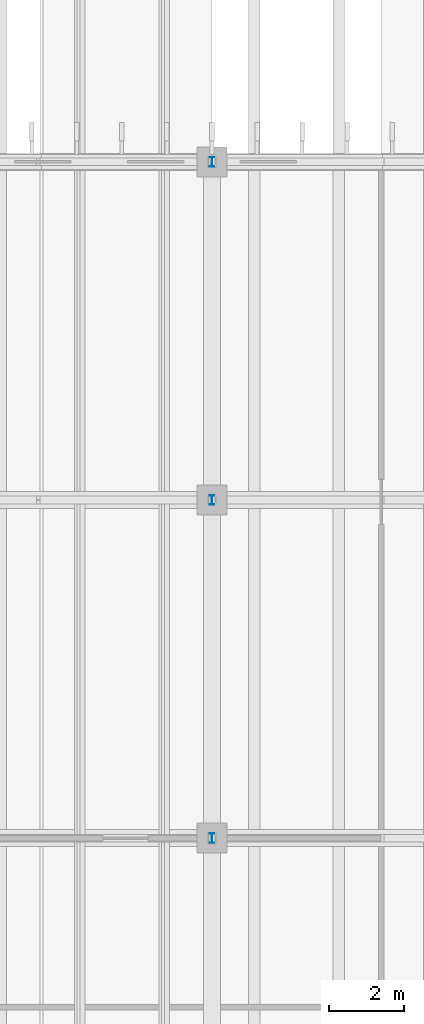
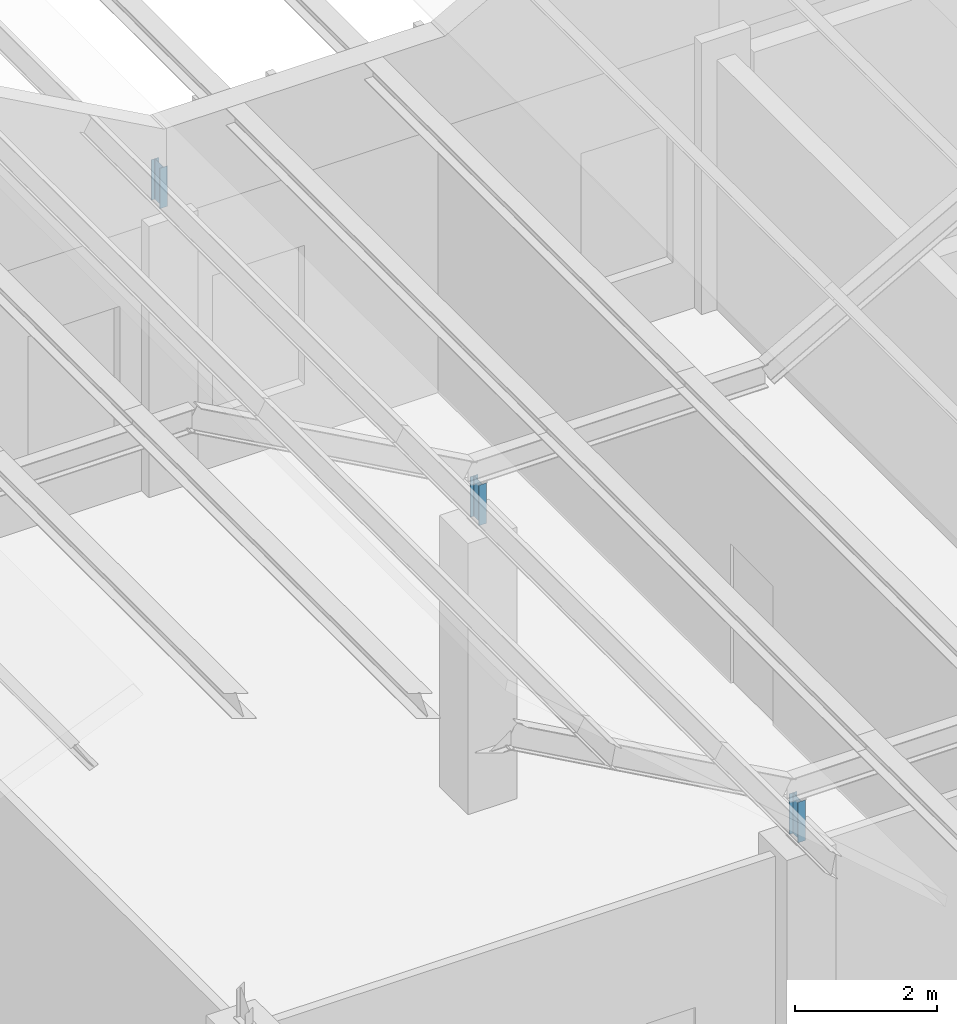
# One storey, part 234 of 437: 3 members.
"""IFC4 building model written with IfcOpenShell, lengths in metres."""

from ifc_helpers import new_model, si_unit, direction, frame, origin, origin_2d, place, context, subcontext, project, spatial, i_section, extrude, material, material_profile, profile_set, type_object, element, save


model = new_model("IFC4")

# Units and contexts
model_context = context("Model", 3, precision=1e-05, world=origin(), true_north=direction((0.0, 1.0)))
body_context = subcontext(model_context, "Body", "Model", "MODEL_VIEW")
ifc_project = project(units=[si_unit("LENGTHUNIT", "METRE"), si_unit("AREAUNIT", "SQUARE_METRE"), si_unit("VOLUMEUNIT", "CUBIC_METRE"), si_unit("PLANEANGLEUNIT", "RADIAN"), si_unit("MASSUNIT", "GRAM", prefix="KILO")], contexts=[model_context])

# Site, building, storey
site_placement = place(None, origin())
site = spatial("IfcSite", under=ifc_project, at=site_placement, CompositionType="ELEMENT")
building_placement = place(site_placement, origin())
building = spatial("IfcBuilding", under=site, at=building_placement, Name="Opaline Strait Convention Centre", CompositionType="ELEMENT")
storey_placement = place(building_placement, frame((0.0, 0.0, 11.5)))
storey = spatial("IfcBuildingStorey", under=building, at=storey_placement, Name="L02", CompositionType="ELEMENT", Elevation=11.5)

# Members
ifc_material = material(Name="Steel Q355B", Category="steel")
ifc_material_profile = material_profile(ifc_material, i_section(OverallWidth=0.125, OverallDepth=0.25, WebThickness=0.006103515625, FlangeThickness=0.009033203125, FilletRadius=0.008056640625, at=origin_2d()), Name="HN 250x125x6x9")
ifc_profile_set = profile_set([ifc_material_profile], Name="Steel Q355B")
member_type = type_object("IfcMemberType", Name="Roof post HN 250x125x6x9", PredefinedType="STRUT", material=ifc_profile_set)
for number, where, z_axis, x_axis, name in (
    (1, (54.0, 81.0, 4.68994140625), (0.0, 0.0, 1.0), (1.0, 0.0, 0.0), "RP1 roof post at 54/81"),
    (2, (54.0, 90.0, 4.68994140625), (0.0, 0.0, 1.0), (1.0, 0.0, 0.0), "RP1 roof post at 54/90"),
    (3, (54.0, 99.0, 4.68994140625), (0.0, 0.0, 1.0), (1.0, 0.0, 0.0), "RP1 roof post at 54/99"),
):
    element("IfcMember", number, at=place(storey_placement, frame(where, z_axis=z_axis, x_axis=x_axis)), inside=storey, type_object=member_type, Name=name, PredefinedType="STRUT", context=body_context, shape_type="SweptSolid", body=[
        extrude(i_section(OverallWidth=0.125, OverallDepth=0.25, WebThickness=0.006103515625, FlangeThickness=0.009033203125, FilletRadius=0.008056640625, at=origin_2d()), origin(), (0.0, 0.0, 1.0), 0.695068359375),
    ])

save(model, "model.ifc")
